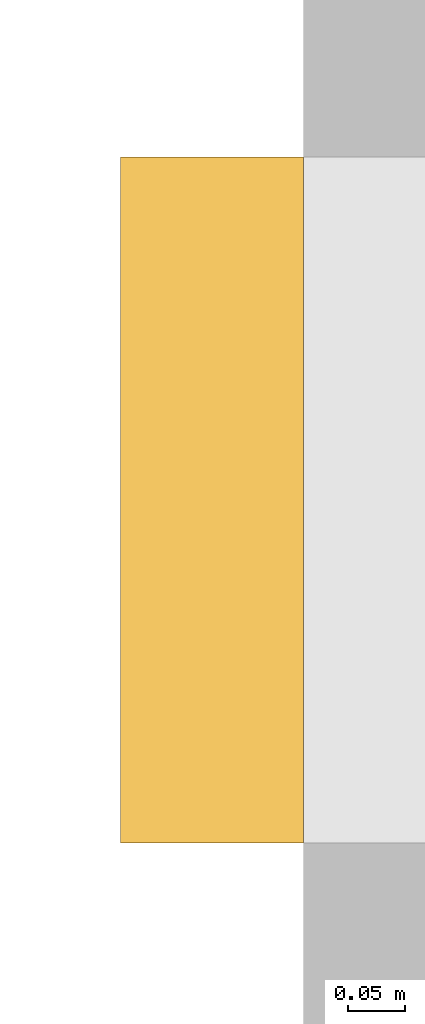
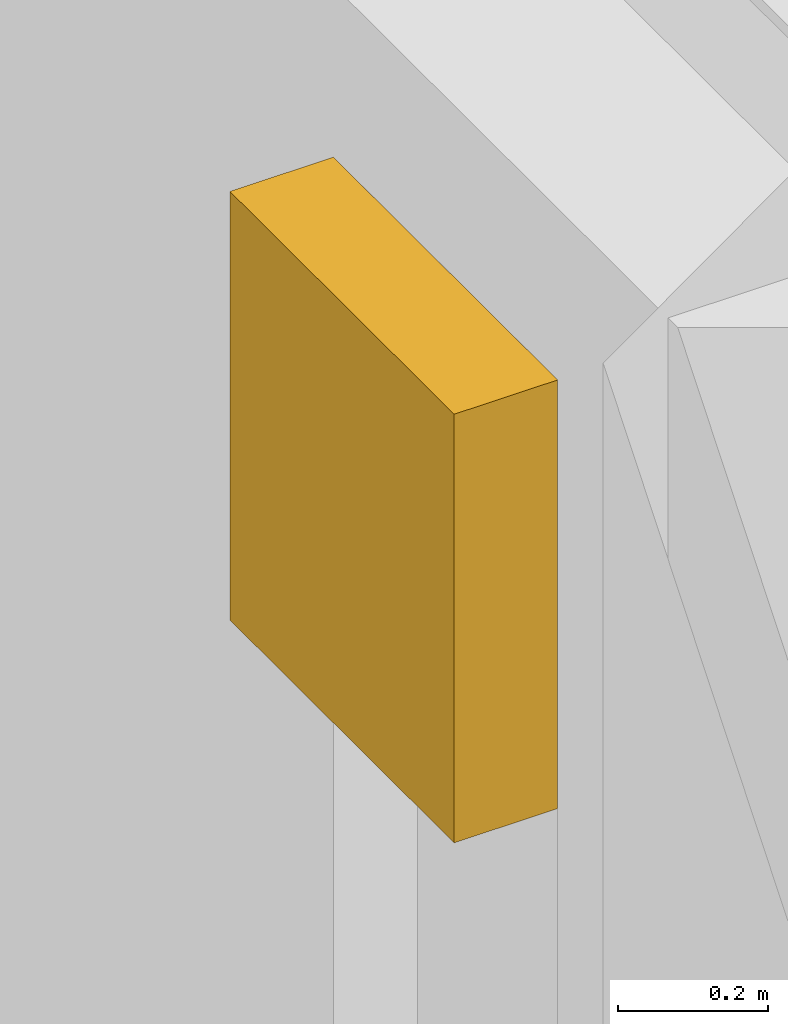
# One storey, part 12 of 12: 1 shading device.
"""IFC4 building model written with IfcOpenShell, lengths in metres."""

from ifc_helpers import new_model, si_unit, direction, frame, origin, origin_2d, place, context, subcontext, project, spatial, rectangle, extrude, material, type_object, element, save


model = new_model("IFC4")

# Units and contexts
model_context = context("Model", 3, precision=1e-05, world=origin(), true_north=direction((0.0, 1.0)))
body_context = subcontext(model_context, "Body", "Model", "MODEL_VIEW")
ifc_project = project(units=[si_unit("LENGTHUNIT", "METRE"), si_unit("AREAUNIT", "SQUARE_METRE"), si_unit("VOLUMEUNIT", "CUBIC_METRE"), si_unit("PLANEANGLEUNIT", "RADIAN"), si_unit("MASSUNIT", "GRAM", prefix="KILO")], contexts=[model_context])

# Site, building, storey
site_placement = place(None, origin())
site = spatial("IfcSite", under=ifc_project, at=site_placement, CompositionType="ELEMENT")
building_placement = place(site_placement, origin())
building = spatial("IfcBuilding", under=site, at=building_placement, Name="Orvandelia Arch Residences", CompositionType="ELEMENT")
storey_placement = place(building_placement, frame((0.0, 0.0, 43.0)))
storey = spatial("IfcBuildingStorey", under=building, at=storey_placement, Name="L10", CompositionType="ELEMENT", Elevation=43.0)

# Shading device
ifc_material = material(Name="Anodised Champagne-Bronze Extruded Aluminium", Category="aluminium")
shading_device_type = type_object("IfcShadingDeviceType", Name="SHD-JALOUSIE-SCREEN", PredefinedType="JALOUSIE", material=ifc_material)
shading_device_placement = place(storey_placement, frame((4.719970703125, 25.14501953125, 1.5498046875), z_axis=(0.0, 0.0, 1.0), x_axis=(0.0, 1.0, 0.0)))
element("IfcShadingDevice", 1, at=shading_device_placement, inside=storey, type_object=shading_device_type, Name="Bronze Jalousie Sun-Shade L10-011", PredefinedType="JALOUSIE", context=body_context, shape_type="SweptSolid", body=[
    extrude(rectangle(XDim=0.60009765625, YDim=0.159912109375, at=origin_2d()), origin(), (0.0, 0.0, 1.0), 0.699951171875),
])

save(model, "model.ifc")
